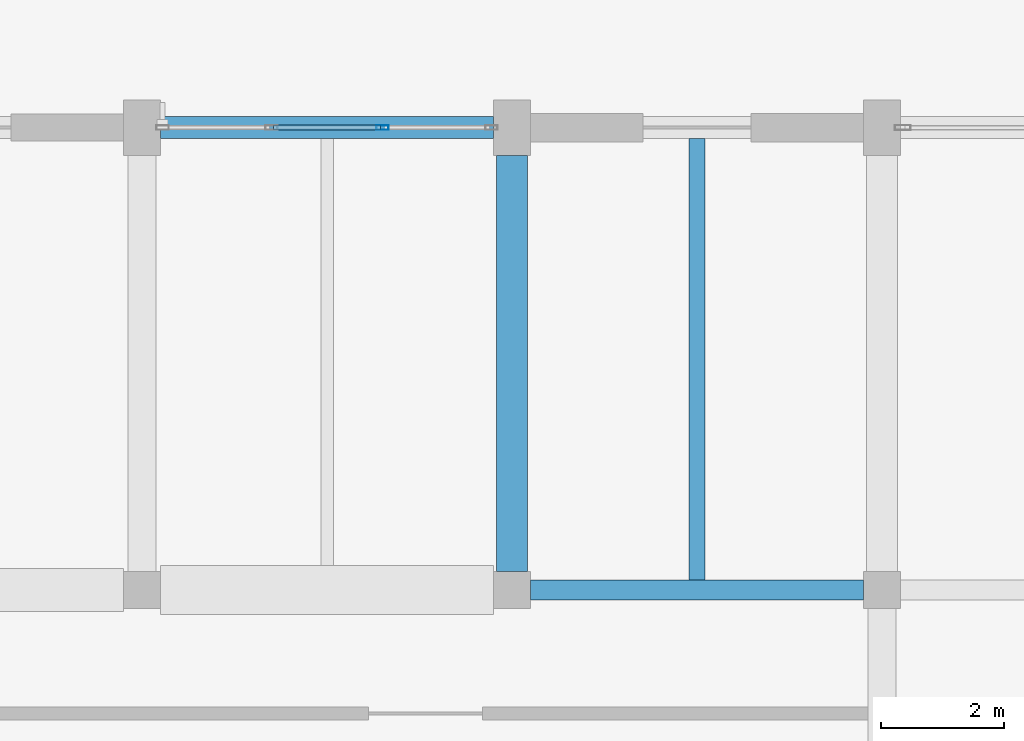
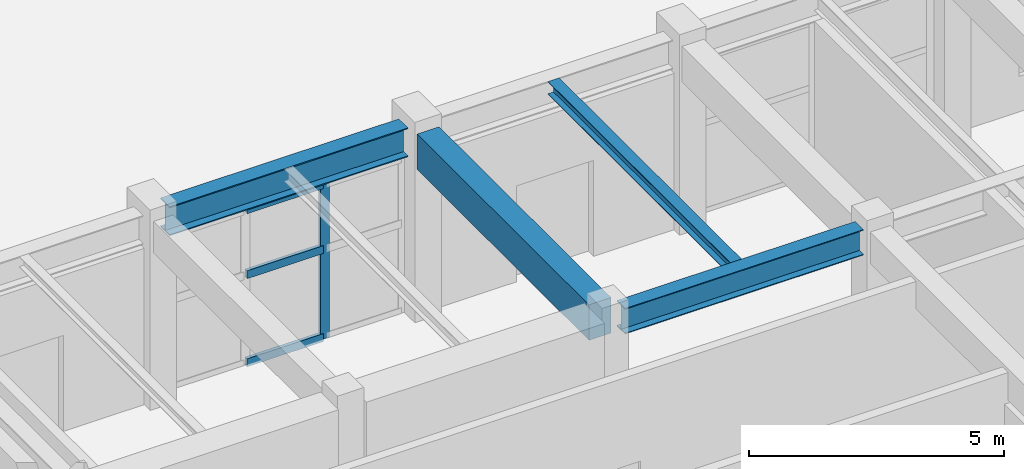
# One storey, part 36 of 80: 4 beams, 4 members, 1 element without a shape of its own.
"""IFC4 building model written with IfcOpenShell, lengths in metres."""

import ifcopenshell
import ifcopenshell.guid

model = None  # the IFC model being written
_history = None  # IfcOwnerHistory: only IFC2X3 demands one
_inside = {}  # id of a spatial element -> (the spatial element, [elements in it])
_under = {}  # id of a project, library or spatial element -> (it, [spatial elements below it])
_declared = {}  # id of a project -> (the project, [libraries it declares])
_typed = {}  # id of a type object -> (the type object, [elements of that type])
_made_of = {}  # id of a material, layer set ... -> (it, [elements and type objects made of it])


def new_model(schema):
    """Start an empty IFC model of exactly this schema.

    Asked for "IFC4X3", IfcOpenShell would pick the latest addendum, in which some entities
    have other attributes; the version numbers below select the first issue.
    IFC2X3 requires an IfcOwnerHistory on every rooted entity: one is made here for all.
    """
    global model, _history
    if schema == "IFC4X3":
        model = ifcopenshell.file(schema_version=(4, 3, 0, 0))
    else:
        model = ifcopenshell.file(schema=schema)
    _inside.clear()
    _under.clear()
    _declared.clear()
    _typed.clear()
    _made_of.clear()
    _history = None
    if model.schema == "IFC2X3":
        org = make("IfcOrganization", Name="unknown")
        user = make(
            "IfcPersonAndOrganization",
            ThePerson=make("IfcPerson", FamilyName="unknown"),
            TheOrganization=org,
        )
        app = make(
            "IfcApplication",
            ApplicationDeveloper=org,
            Version="unknown",
            ApplicationFullName="unknown",
            ApplicationIdentifier="unknown",
        )
        _history = make(
            "IfcOwnerHistory",
            OwningUser=user,
            OwningApplication=app,
            ChangeAction="ADDED",
            CreationDate=0,
        )
    return model


def make(cls, **values):
    """One entity of the class cls with the attributes given. An attribute that is None is left unset."""
    return model.create_entity(
        cls, **{name: value for name, value in values.items() if value is not None}
    )


def rooted(cls, **values):
    """An entity with a GlobalId (a new one), such as an element, a storey or a relation."""
    return make(cls, GlobalId=ifcopenshell.guid.new(), OwnerHistory=_history, **values)


def si_unit(unit_type, name, prefix=None):
    """IfcSIUnit, for example si_unit("LENGTHUNIT", "METRE", prefix="MILLI")."""
    return make("IfcSIUnit", UnitType=unit_type, Prefix=prefix, Name=name)


def assignment(units):
    """IfcUnitAssignment: the units of a project."""
    return None if units is None else make("IfcUnitAssignment", Units=units)


def point(xyz):
    """IfcCartesianPoint."""
    return None if xyz is None else make("IfcCartesianPoint", Coordinates=xyz)


def direction(xyz):
    """IfcDirection."""
    return None if xyz is None else make("IfcDirection", DirectionRatios=xyz)


def frame(location, z_axis=None, x_axis=None):
    """IfcAxis2Placement3D, a coordinate frame: its origin and axes. An axis left out is left unset."""
    return make(
        "IfcAxis2Placement3D",
        Location=point(location),
        Axis=direction(z_axis),
        RefDirection=direction(x_axis),
    )


def frame_2d(location, x_axis=None):
    """IfcAxis2Placement2D, a coordinate frame in the plane: its origin and x axis."""
    return make(
        "IfcAxis2Placement2D", Location=point(location), RefDirection=direction(x_axis)
    )


def origin():
    """The frame at (0, 0, 0) with its axes left unset."""
    return frame((0.0, 0.0, 0.0))


def origin_2d():
    """The frame at (0, 0) in the plane with its x axis left unset."""
    return frame_2d((0.0, 0.0))


def place(relative_to, where):
    """IfcLocalPlacement: puts the frame where relative to a parent placement (None: the world)."""
    return make(
        "IfcLocalPlacement", PlacementRelTo=relative_to, RelativePlacement=where
    )


def context(
    kind, dimensions, precision=None, world=None, true_north=None, identifier=None
):
    """IfcGeometricRepresentationContext, for example the 3D "Model" context."""
    return make(
        "IfcGeometricRepresentationContext",
        ContextIdentifier=identifier,
        ContextType=kind,
        CoordinateSpaceDimension=dimensions,
        Precision=precision,
        WorldCoordinateSystem=world,
        TrueNorth=true_north,
    )


def subcontext(parent, identifier, kind, view, scale=None):
    """IfcGeometricRepresentationSubContext, for example "Body" below "Model"."""
    return make(
        "IfcGeometricRepresentationSubContext",
        ContextIdentifier=identifier,
        ContextType=kind,
        ParentContext=parent,
        TargetScale=scale,
        TargetView=view,
    )


def project(units=None, contexts=None):
    """IfcProject with its units and contexts."""
    return rooted(
        "IfcProject",
        Name="project",
        RepresentationContexts=contexts,
        UnitsInContext=assignment(units),
    )


def spatial(cls, under=None, at=None, **own):
    """A site, building, storey or space (cls), placed at a placement, below another one or the project."""
    s = rooted(cls, ObjectPlacement=at, **own)
    if under is not None:
        _under.setdefault(under.id(), (under, []))[1].append(s)
    return s


def profile(cls, at=None, kind="AREA", **sizes):
    """A parametric profile (cls). Its sizes go by their IFC names, for example OverallWidth=200.0."""
    return make(cls, ProfileType=kind, Position=at, **sizes)


def rectangle(**sizes):
    """IfcRectangleProfileDef."""
    return profile("IfcRectangleProfileDef", **sizes)


def hollow_rectangle(**sizes):
    """IfcRectangleHollowProfileDef."""
    return profile("IfcRectangleHollowProfileDef", **sizes)


def i_section(**sizes):
    """IfcIShapeProfileDef."""
    return profile("IfcIShapeProfileDef", **sizes)


def extrude(swept, where, along, depth):
    """IfcExtrudedAreaSolid: the profile swept, set in the frame where, extruded along a direction by depth."""
    return make(
        "IfcExtrudedAreaSolid",
        SweptArea=swept,
        Position=where,
        ExtrudedDirection=direction(along),
        Depth=depth,
    )


def shape(context_of_items, identifier, shape_type, items):
    """IfcShapeRepresentation: the items that make up one representation, for example the "Body"."""
    return make(
        "IfcShapeRepresentation",
        ContextOfItems=context_of_items,
        RepresentationIdentifier=identifier,
        RepresentationType=shape_type,
        Items=items,
    )


def material(Name=None, Category=None):
    """IfcMaterial."""
    return make("IfcMaterial", Name=Name, Category=Category)


def layer(
    of_material, thickness, ventilated=None, Name=None, Category=None, Priority=None
):
    """IfcMaterialLayer: one layer of a wall or slab, of a material (None: an air gap)."""
    return make(
        "IfcMaterialLayer",
        Material=of_material,
        LayerThickness=thickness,
        IsVentilated=ventilated,
        Name=Name,
        Category=Category,
        Priority=Priority,
    )


def layer_set(layers, Name=None):
    """IfcMaterialLayerSet."""
    return make("IfcMaterialLayerSet", MaterialLayers=layers, LayerSetName=Name)


def material_profile(
    of_material, cross_section, Name=None, Category=None, Priority=None
):
    """IfcMaterialProfile: a cross section and its material."""
    return make(
        "IfcMaterialProfile",
        Name=Name,
        Material=of_material,
        Profile=cross_section,
        Priority=Priority,
        Category=Category,
    )


def profile_set(profiles, Name=None, composite=None):
    """IfcMaterialProfileSet."""
    return make(
        "IfcMaterialProfileSet",
        Name=Name,
        MaterialProfiles=profiles,
        CompositeProfile=composite,
    )


def made_of(thing, what):
    """Note that an element or type object is made of a material, layer set ...; save() writes the relation."""
    if what is not None:
        _made_of.setdefault(what.id(), (what, []))[1].append(thing)
    return thing


def type_object(cls, material=None, **own):
    """A type object (cls), such as IfcWallType, which elements share."""
    return made_of(rooted(cls, **own), material)


def element(
    cls,
    number,
    at=None,
    inside=None,
    cuts=None,
    type_object=None,
    material=None,
    context=None,
    identifier="Body",
    shape_type=None,
    held_by="IfcProductDefinitionShape",
    body=None,
    shapes=None,
    **own,
):
    """One element of the class cls, such as IfcWall. Its Tag is "e" and its number.

    at: its placement. inside: the storey or other place that contains it. cuts: it is an
    opening in that element (IfcRelVoidsElement). A single representation is given by context,
    identifier, shape_type and body (its items); several are given by shapes. held_by: the class
    of the entity that holds the representations. save() writes the other relations.
    """
    e = rooted(cls, Tag="e%d" % number, ObjectPlacement=at, **own)
    if body is not None:
        shapes = [shape(context, identifier, shape_type, body)]
    if shapes is not None:
        e.Representation = make(held_by, Representations=shapes)
    if inside is not None:
        _inside.setdefault(inside.id(), (inside, []))[1].append(e)
    if cuts is not None:
        rooted(
            "IfcRelVoidsElement", RelatingBuildingElement=cuts, RelatedOpeningElement=e
        )
    if type_object is not None:
        _typed.setdefault(type_object.id(), (type_object, []))[1].append(e)
    return made_of(e, material)


def aggregate(whole, parts):
    """IfcRelAggregates: a whole, such as a stair, and the parts it consists of."""
    return rooted("IfcRelAggregates", RelatingObject=whole, RelatedObjects=parts)


def save(model, path):
    """Write the relations noted so far, then the file.

    IfcRelAggregates (storeys below a building ...), IfcRelContainedInSpatialStructure (elements
    in a storey), IfcRelDefinesByType, IfcRelAssociatesMaterial and IfcRelDeclares: one each for
    every whole, place, type object, material and project.
    """
    for whole, parts in _under.values():
        aggregate(whole, parts)
    for where, things in _inside.values():
        rooted(
            "IfcRelContainedInSpatialStructure",
            RelatedElements=things,
            RelatingStructure=where,
        )
    for kind, things in _typed.values():
        rooted("IfcRelDefinesByType", RelatedObjects=things, RelatingType=kind)
    for what, things in _made_of.values():
        rooted("IfcRelAssociatesMaterial", RelatedObjects=things, RelatingMaterial=what)
    for by, libraries in _declared.values():
        rooted("IfcRelDeclares", RelatingContext=by, RelatedDefinitions=libraries)
    model.write(path)


model = new_model("IFC4")

# Units and contexts
model_context = context("Model", 3, precision=1e-05, world=origin(), true_north=direction((0.0, 1.0)))
body_context = subcontext(model_context, "Body", "Model", "MODEL_VIEW")
ifc_project = project(units=[si_unit("LENGTHUNIT", "METRE"), si_unit("AREAUNIT", "SQUARE_METRE"), si_unit("VOLUMEUNIT", "CUBIC_METRE"), si_unit("PLANEANGLEUNIT", "RADIAN"), si_unit("MASSUNIT", "GRAM", prefix="KILO")], contexts=[model_context])

# Site, building, storey
site_placement = place(None, origin())
site = spatial("IfcSite", under=ifc_project, at=site_placement, CompositionType="ELEMENT")
building_placement = place(site_placement, origin())
building = spatial("IfcBuilding", under=site, at=building_placement, Name="Vaelkrest Opera House", CompositionType="ELEMENT")
storey_placement = place(building_placement, frame((0.0, 0.0, 15.0)))
storey = spatial("IfcBuildingStorey", under=building, at=storey_placement, Name="L03", CompositionType="ELEMENT", Elevation=15.0)

# Beams
ifc_material_1 = material(Name="Concrete C50/60", Category="concrete")
ifc_material_profile_1 = material_profile(ifc_material_1, rectangle(XDim=0.5, YDim=0.85009765625, at=origin_2d()), Name="RCB500X850")
ifc_profile_set_1 = profile_set([ifc_material_profile_1], Name="Concrete C50/60")
beam_type_1 = type_object("IfcBeamType", Name="B03", PredefinedType="BEAM", material=ifc_profile_set_1)
beam_1_placement = place(storey_placement, frame((-57.60009765625, 10.5, 4.080078125), z_axis=(0.0, 1.0, 0.0), x_axis=(-1.0, 0.0, 0.0)))
element("IfcBeam", 1, at=beam_1_placement, inside=storey, type_object=beam_type_1, Name="Beam BM-V3-L03-1772", PredefinedType="BEAM", context=body_context, shape_type="SweptSolid", body=[
    extrude(rectangle(XDim=0.5, YDim=0.85009765625, at=origin_2d()), origin(), (0.0, 0.0, 1.0), 6.75),
])
ifc_material_2 = material(Name="Steel A992 Gr50", Category="steel")
ifc_material_profile_2 = material_profile(ifc_material_2, i_section(OverallWidth=0.323974609375, OverallDepth=0.611083984375, WebThickness=0.0126953125, FlangeThickness=0.01904296875, at=origin_2d()), Name="W24X104")
ifc_profile_set_2 = profile_set([ifc_material_profile_2], Name="Steel A992 Gr50")
beam_type_2 = type_object("IfcBeamType", Name="B08", PredefinedType="BEAM", material=ifc_profile_set_2)
beam_2_placement = place(storey_placement, frame((-57.300048828125, 10.199951171875, 4.199462890625), z_axis=(1.0, 0.0, 0.0), x_axis=(0.0, 1.0, 0.0)))
element("IfcBeam", 2, at=beam_2_placement, inside=storey, type_object=beam_type_2, Name="Beam BM-V3-L03-1753", PredefinedType="BEAM", context=body_context, shape_type="SweptSolid", body=[
    extrude(i_section(OverallWidth=0.323974609375, OverallDepth=0.611083984375, WebThickness=0.0126953125, FlangeThickness=0.01904296875, at=origin_2d()), origin(), (0.0, 0.0, 1.0), 5.400146484375),
])

# Curtain wall, members
ifc_material_3 = material(Name="Dark bronze anodized aluminium", Category="aluminium")
ifc_layer = layer(ifc_material_3, 0.22998046875)
ifc_layer_set = layer_set([ifc_layer], Name="Dark bronze anodized aluminium")
curtain_wall_type = type_object("IfcCurtainWallType", Name="CW06", PredefinedType="NOTDEFINED", material=ifc_layer_set)
curtain_wall_placement = place(storey_placement, origin())
curtain_wall = element("IfcCurtainWall", 3, at=curtain_wall_placement, inside=storey, type_object=curtain_wall_type, Name="Curtain wall CW-L03-132", PredefinedType="NOTDEFINED")
ifc_material_profile_3 = material_profile(ifc_material_3, hollow_rectangle(XDim=0.070068359375, YDim=0.199951171875, WallThickness=0.004150390625, at=origin_2d()), Name="CWM70X200")
ifc_profile_set_3 = profile_set([ifc_material_profile_3], Name="Dark bronze anodized aluminium")
member_type_1 = type_object("IfcMemberType", Name="CWM02", PredefinedType="MULLION", material=ifc_profile_set_3)
member_1_placement = place(storey_placement, frame((-59.69921875, 17.699951171875, 0.0), z_axis=(0.0, 0.0, 1.0), x_axis=(0.0, 1.0, 0.0)))
member_1 = element("IfcMember", 4, at=member_1_placement, type_object=member_type_1, Name="CW06 mullion 3", PredefinedType="MULLION", context=body_context, shape_type="SweptSolid", body=[
    extrude(hollow_rectangle(XDim=0.070068359375, YDim=0.199951171875, WallThickness=0.004150390625, at=origin_2d()), origin(), (0.0, 0.0, 1.0), 3.7451171875),
])
ifc_material_profile_4 = material_profile(ifc_material_3, hollow_rectangle(XDim=0.080078125, YDim=0.18994140625, WallThickness=0.0048828125, at=origin_2d()), Name="CWT80X190")
ifc_profile_set_4 = profile_set([ifc_material_profile_4], Name="Dark bronze anodized aluminium")
member_type_2 = type_object("IfcMemberType", Name="CWT04", PredefinedType="USERDEFINED", material=ifc_profile_set_4)
member_2_placement = place(storey_placement, frame((-61.465576171875, 17.699951171875, 0.0400390625), z_axis=(1.0, 0.0, 0.0), x_axis=(0.0, 1.0, 0.0)))
member_2 = element("IfcMember", 5, at=member_2_placement, type_object=member_type_2, Name="CW06 transom 2.1", ObjectType="TRANSOM", PredefinedType="USERDEFINED", context=body_context, shape_type="SweptSolid", body=[
    extrude(hollow_rectangle(XDim=0.080078125, YDim=0.18994140625, WallThickness=0.0048828125, at=origin_2d()), origin(), (0.0, 0.0, 1.0), 1.731201171875),
])
member_3_placement = place(storey_placement, frame((-61.465576171875, 17.699951171875, 2.14990234375), z_axis=(1.0, 0.0, 0.0), x_axis=(0.0, 1.0, 0.0)))
member_3 = element("IfcMember", 6, at=member_3_placement, type_object=member_type_2, Name="CW06 transom 2.2", ObjectType="TRANSOM", PredefinedType="USERDEFINED", context=body_context, shape_type="SweptSolid", body=[
    extrude(hollow_rectangle(XDim=0.080078125, YDim=0.18994140625, WallThickness=0.0048828125, at=origin_2d()), origin(), (0.0, 0.0, 1.0), 1.731201171875),
])
member_4_placement = place(storey_placement, frame((-61.465576171875, 17.699951171875, 3.705078125), z_axis=(1.0, 0.0, 0.0), x_axis=(0.0, 1.0, 0.0)))
member_4 = element("IfcMember", 7, at=member_4_placement, type_object=member_type_2, Name="CW06 transom 2.3", ObjectType="TRANSOM", PredefinedType="USERDEFINED", context=body_context, shape_type="SweptSolid", body=[
    extrude(hollow_rectangle(XDim=0.080078125, YDim=0.18994140625, WallThickness=0.0048828125, at=origin_2d()), origin(), (0.0, 0.0, 1.0), 1.731201171875),
])
aggregate(curtain_wall, [member_1, member_2, member_3, member_4])

# Beams
ifc_material_profile_5 = material_profile(ifc_material_2, i_section(OverallWidth=0.25390625, OverallDepth=0.305908203125, WebThickness=0.0087890625, FlangeThickness=0.0146484375, at=origin_2d()), Name="W12X53")
ifc_profile_set_5 = profile_set([ifc_material_profile_5], Name="Steel A992 Gr50")
beam_type_3 = type_object("IfcBeamType", Name="J03", PredefinedType="JOIST", material=ifc_profile_set_5)
beam_3_placement = place(storey_placement, frame((-54.60009765625, 10.362060546875, 4.35205078125), z_axis=(0.0, 1.0, 0.0), x_axis=(-1.0, 0.0, 0.0)))
element("IfcBeam", 8, at=beam_3_placement, inside=storey, type_object=beam_type_3, Name="Floor joist JST-V3-L03-1793", PredefinedType="JOIST", context=body_context, shape_type="SweptSolid", body=[
    extrude(i_section(OverallWidth=0.25390625, OverallDepth=0.305908203125, WebThickness=0.0087890625, FlangeThickness=0.0146484375, at=origin_2d()), origin(), (0.0, 0.0, 1.0), 7.160400390625),
])
ifc_material_profile_6 = material_profile(ifc_material_2, i_section(OverallWidth=0.35498046875, OverallDepth=0.695068359375, WebThickness=0.015380859375, FlangeThickness=0.02490234375, at=origin_2d()), Name="W27X146")
ifc_profile_set_6 = profile_set([ifc_material_profile_6], Name="Steel A992 Gr50")
beam_type_4 = type_object("IfcBeamType", Name="SP02", PredefinedType="SPANDREL", material=ifc_profile_set_6)
beam_4_placement = place(storey_placement, frame((-63.300048828125, 17.699951171875, 4.157470703125), z_axis=(1.0, 0.0, 0.0), x_axis=(0.0, 1.0, 0.0)))
element("IfcBeam", 9, at=beam_4_placement, inside=storey, type_object=beam_type_4, Name="Beam BM-V3-L03-1758", PredefinedType="SPANDREL", context=body_context, shape_type="SweptSolid", body=[
    extrude(i_section(OverallWidth=0.35498046875, OverallDepth=0.695068359375, WebThickness=0.015380859375, FlangeThickness=0.02490234375, at=origin_2d()), origin(), (0.0, 0.0, 1.0), 5.400146484375),
])

save(model, "model.ifc")
